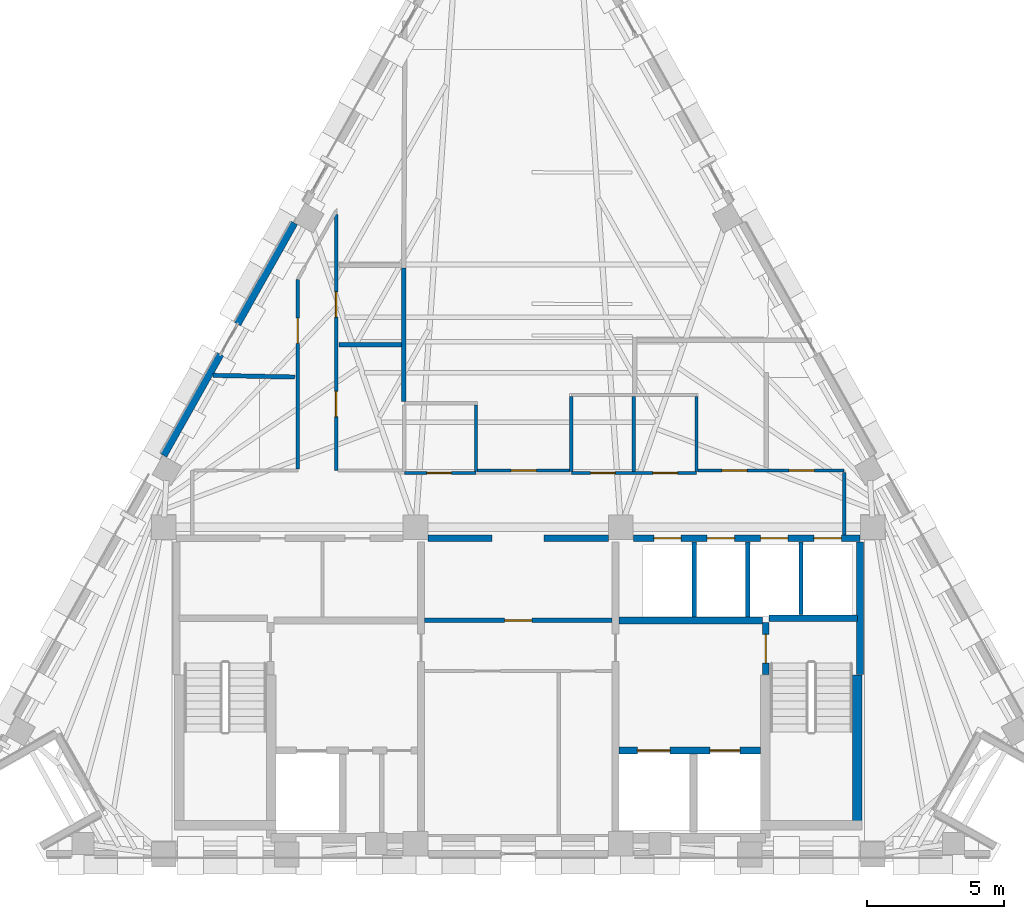
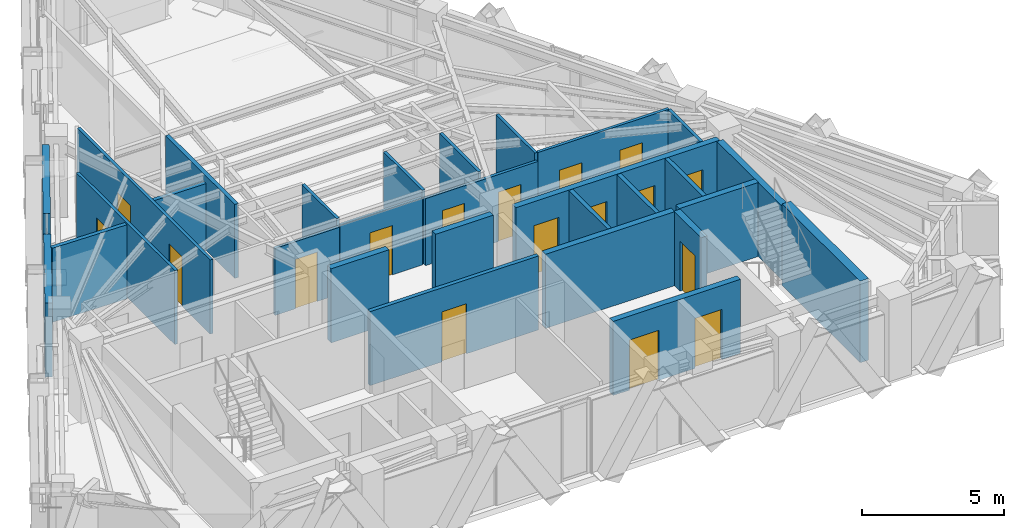
# One storey, part 6 of 9: 29 walls, 17 doors, 17 openings.
"""IFC4 building model written with IfcOpenShell, lengths in metres."""

from ifc_helpers import new_model, si_unit, direction, frame, frame_2d, origin, place, context, subcontext, project, spatial, rectangle, extrude, material, layer, layer_set, type_object, element, fill, save


model = new_model("IFC4")

# Units and contexts
model_context = context("Model", 3, precision=1e-05, world=origin(), true_north=direction((0.0, 1.0)))
body_context = subcontext(model_context, "Body", "Model", "MODEL_VIEW")
ifc_project = project(units=[si_unit("LENGTHUNIT", "METRE"), si_unit("AREAUNIT", "SQUARE_METRE"), si_unit("VOLUMEUNIT", "CUBIC_METRE"), si_unit("PLANEANGLEUNIT", "RADIAN"), si_unit("MASSUNIT", "GRAM", prefix="KILO")], contexts=[model_context])

# Site, building, storey
site_placement = place(None, origin())
site = spatial("IfcSite", under=ifc_project, at=site_placement, CompositionType="ELEMENT")
building_placement = place(site_placement, origin())
building = spatial("IfcBuilding", under=site, at=building_placement, Name="Quenlor Broadcast Tower", CompositionType="ELEMENT")
storey_placement = place(building_placement, frame((0.0, 0.0, 267.39990234375)))
storey = spatial("IfcBuildingStorey", under=building, at=storey_placement, Name="L74", CompositionType="ELEMENT", Elevation=267.39990234375)

# Wall
ifc_material_1 = material(Name="Concrete C50/60", Category="concrete")
ifc_layer_1 = layer(ifc_material_1, 0.35009765625)
ifc_layer_set_1 = layer_set([ifc_layer_1], Name="Core Concrete C50/60 Shear Wall 350")
wall_type_1 = type_object("IfcWallType", Name="Core Concrete C50/60 Shear Wall 350", PredefinedType="SHEAR", material=ifc_layer_set_1)
wall_1_placement = place(storey_placement, frame((12.375, -15.675048828125, 0.0), z_axis=(0.0, 0.0, 1.0), x_axis=(0.0, 1.0, 0.0)))
element("IfcWall", 1, at=wall_1_placement, inside=storey, type_object=wall_type_1, Name="L74 Core Shear Wall WF-E", PredefinedType="SHEAR", context=body_context, shape_type="SweptSolid", body=[
    extrude(rectangle(XDim=5.47509765625, YDim=0.35009765625, at=frame_2d((2.737548828125, 0.0))), origin(), (0.0, 0.0, 1.0), 3.5),
])

# Wall, opening, door
ifc_material_2 = material(Name="Concrete C40/50", Category="concrete")
ifc_layer_2 = layer(ifc_material_2, 0.25)
ifc_layer_set_2 = layer_set([ifc_layer_2], Name="Fire Rated Concrete C40/50 Core Wall 250")
wall_type_2 = type_object("IfcWallType", Name="Fire Rated Concrete C40/50 Core Wall 250", PredefinedType="PARTITIONING", material=ifc_layer_set_2)
wall_2_placement = place(storey_placement, frame((9.0400390625, -10.179931640625, 0.0), z_axis=(0.0, 0.0, 1.0), x_axis=(0.0, 1.0, 0.0)))
wall_2 = element("IfcWall", 2, at=wall_2_placement, inside=storey, type_object=wall_type_2, Name="L74 Interior Wall CW-ST2-DR", PredefinedType="PARTITIONING", context=body_context, shape_type="SweptSolid", body=[
    extrude(rectangle(XDim=1.89990234375, YDim=0.25, at=frame_2d((0.949951171875, 0.0))), origin(), (0.0, 0.0, 1.0), 3.18017578125),
])
opening_1_placement = place(wall_2_placement, frame((0.419921875, 0.0, 0.0)))
opening_1 = element("IfcOpeningElement", 3, at=opening_1_placement, cuts=wall_2, Name="Opening FD-1", PredefinedType="OPENING", context=body_context, shape_type="SweptSolid", body=[
    extrude(rectangle(XDim=1.050048828125, YDim=2.14990234375, at=frame_2d((0.52490234375, 1.074951171875))), frame((0.0, 0.135009765625, 0.0), z_axis=(0.0, -1.0, 0.0), x_axis=(1.0, 0.0, 0.0)), (0.0, 0.0, 1.0), 0.27001953125),
])
ifc_material_3 = material(Name="Fire Rated Steel Door Leaf", Category="steel")
door_type_1 = type_object("IfcDoorType", Name="Fire Isolated Stair Door 1050x2150", OperationType="NOTDEFINED", PredefinedType="DOOR", material=ifc_material_3)
door_1_placement = place(opening_1_placement, origin())
door_1 = element("IfcDoor", 4, at=door_1_placement, inside=storey, type_object=door_type_1, Name="L74 Door DR-ST2", OperationType="SINGLE_SWING_RIGHT", OverallHeight=2.14990234375, OverallWidth=1.050048828125, PredefinedType="DOOR", context=body_context, shape_type="SweptSolid", body=[
    extrude(rectangle(XDim=1.050048828125, YDim=2.14990234375, at=frame_2d((0.52490234375, 1.074951171875))), frame((0.0, 0.02490234375, 0.0), z_axis=(0.0, -1.0, 0.0), x_axis=(1.0, 0.0, 0.0)), (0.0, 0.0, 1.0), 0.050048828125),
])
fill(opening_1, door_1)

# Walls
wall_3_placement = place(storey_placement, frame((9.159912109375, -8.1201171875, 0.0), z_axis=(0.0, 0.0, 1.0), x_axis=(1.0, 0.0, 0.0)))
element("IfcWall", 5, at=wall_3_placement, inside=storey, type_object=wall_type_2, Name="L74 Interior Wall CW-ST2-N", PredefinedType="PARTITIONING", context=body_context, shape_type="SweptSolid", body=[
    extrude(rectangle(XDim=3.219970703125, YDim=0.25, at=frame_2d((1.60986328125, 0.0))), origin(), (0.0, 0.0, 1.0), 3.18017578125),
])
wall_4_placement = place(storey_placement, frame((12.47998046875, -10.179931640625, 0.0), z_axis=(0.0, 0.0, 1.0), x_axis=(0.0, 1.0, 0.0)))
element("IfcWall", 6, at=wall_4_placement, inside=storey, type_object=wall_type_2, Name="L74 Interior Wall CW-ST2-E2", PredefinedType="PARTITIONING", context=body_context, shape_type="SweptSolid", body=[
    extrude(rectangle(XDim=4.83984375, YDim=0.25, at=frame_2d((2.419921875, 0.0))), origin(), (0.0, 0.0, 1.0), 3.18017578125),
])

# Wall, openings, doors
wall_5_placement = place(storey_placement, frame((3.679931640625, -12.949951171875, 0.0), z_axis=(0.0, 0.0, 1.0), x_axis=(1.0, 0.0, 0.0)))
wall_5 = element("IfcWall", 7, at=wall_5_placement, inside=storey, type_object=wall_type_2, Name="L74 Interior Wall CW-FFE-S", PredefinedType="PARTITIONING", context=body_context, shape_type="SweptSolid", body=[
    extrude(rectangle(XDim=5.16796875, YDim=0.25, at=frame_2d((2.583984375, 0.0))), origin(), (0.0, 0.0, 1.0), 3.18017578125),
])
opening_2_placement = place(wall_5_placement, frame((3.320068359375, 0.0, 0.0)))
opening_2 = element("IfcOpeningElement", 8, at=opening_2_placement, cuts=wall_5, Name="Opening LD-FFL-2", PredefinedType="OPENING", context=body_context, shape_type="SweptSolid", body=[
    extrude(rectangle(XDim=1.10009765625, YDim=2.14990234375, at=frame_2d((0.550048828125, 1.074951171875))), frame((0.0, 0.135009765625, 0.0), z_axis=(0.0, -1.0, 0.0), x_axis=(1.0, 0.0, 0.0)), (0.0, 0.0, 1.0), 0.27001953125),
])
opening_3_placement = place(wall_5_placement, frame((0.669921875, 0.0, 0.0)))
opening_3 = element("IfcOpeningElement", 9, at=opening_3_placement, cuts=wall_5, Name="Opening LD-SVL-1", PredefinedType="OPENING", context=body_context, shape_type="SweptSolid", body=[
    extrude(rectangle(XDim=1.199951171875, YDim=2.14990234375, at=frame_2d((0.60009765625, 1.074951171875))), frame((0.0, 0.135009765625, 0.0), z_axis=(0.0, -1.0, 0.0), x_axis=(1.0, 0.0, 0.0)), (0.0, 0.0, 1.0), 0.27001953125),
])
ifc_material_4 = material(Name="Brushed Stainless Steel", Category="steel")
door_type_2 = type_object("IfcDoorType", Name="Emergency Lift Sliding Landing Door 1100x2150", OperationType="NOTDEFINED", PredefinedType="DOOR", material=ifc_material_4)
door_2_placement = place(opening_2_placement, origin())
door_2 = element("IfcDoor", 10, at=door_2_placement, inside=storey, type_object=door_type_2, Name="L74 Door LD-FFL-2", OperationType="SLIDING_TO_RIGHT", OverallHeight=2.14990234375, OverallWidth=1.10009765625, PredefinedType="DOOR", context=body_context, shape_type="SweptSolid", body=[
    extrude(rectangle(XDim=1.10009765625, YDim=2.14990234375, at=frame_2d((0.550048828125, 1.074951171875))), frame((0.0, 0.02490234375, 0.0), z_axis=(0.0, -1.0, 0.0), x_axis=(1.0, 0.0, 0.0)), (0.0, 0.0, 1.0), 0.050048828125),
])
fill(opening_2, door_2)
ifc_material_5 = material(Name="Brushed Stainless Steel", Category="steel")
door_type_3 = type_object("IfcDoorType", Name="Goods Lift Sliding Landing Door 1200x2150", OperationType="NOTDEFINED", PredefinedType="DOOR", material=ifc_material_5)
door_3_placement = place(opening_3_placement, origin())
door_3 = element("IfcDoor", 11, at=door_3_placement, inside=storey, type_object=door_type_3, Name="L74 Door LD-SVL-1", OperationType="SLIDING_TO_LEFT", OverallHeight=2.14990234375, OverallWidth=1.199951171875, PredefinedType="DOOR", context=body_context, shape_type="SweptSolid", body=[
    extrude(rectangle(XDim=1.199951171875, YDim=2.14990234375, at=frame_2d((0.60009765625, 1.074951171875))), frame((0.0, 0.02490234375, 0.0), z_axis=(0.0, -1.0, 0.0), x_axis=(1.0, 0.0, 0.0)), (0.0, 0.0, 1.0), 0.050048828125),
])
fill(opening_3, door_3)

# Wall
wall_6_placement = place(storey_placement, frame((3.679931640625, -8.199951171875, 0.0), z_axis=(0.0, 0.0, 1.0), x_axis=(1.0, 0.0, 0.0)))
element("IfcWall", 12, at=wall_6_placement, inside=storey, type_object=wall_type_2, Name="L74 Interior Wall CW-FFE-N", PredefinedType="PARTITIONING", context=body_context, shape_type="SweptSolid", body=[
    extrude(rectangle(XDim=5.239990234375, YDim=0.25, at=frame_2d((2.6201171875, 0.0))), origin(), (0.0, 0.0, 1.0), 3.18017578125),
])

# Wall, openings, doors
wall_7_placement = place(storey_placement, frame((4.201904296875, -5.199951171875, 0.0), z_axis=(0.0, 0.0, 1.0), x_axis=(1.0, 0.0, 0.0)))
wall_7 = element("IfcWall", 13, at=wall_7_placement, inside=storey, type_object=wall_type_2, Name="L74 Interior Wall CW-N-E", PredefinedType="PARTITIONING", context=body_context, shape_type="SweptSolid", body=[
    extrude(rectangle(XDim=8.278076171875, YDim=0.25, at=frame_2d((4.13916015625, 0.0))), origin(), (0.0, 0.0, 1.0), 3.18017578125),
])
opening_4_placement = place(wall_7_placement, frame((0.748046875, 0.0, 0.0)))
opening_4 = element("IfcOpeningElement", 14, at=opening_4_placement, cuts=wall_7, Name="Opening LD-PL-H1", PredefinedType="OPENING", context=body_context, shape_type="SweptSolid", body=[
    extrude(rectangle(XDim=1.0, YDim=2.14990234375, at=frame_2d((0.5, 1.074951171875))), frame((0.0, 0.135009765625, 0.0), z_axis=(0.0, -1.0, 0.0), x_axis=(1.0, 0.0, 0.0)), (0.0, 0.0, 1.0), 0.27001953125),
])
opening_5_placement = place(wall_7_placement, frame((2.697998046875, 0.0, 0.0)))
opening_5 = element("IfcOpeningElement", 15, at=opening_5_placement, cuts=wall_7, Name="Opening LD-PL-H2", PredefinedType="OPENING", context=body_context, shape_type="SweptSolid", body=[
    extrude(rectangle(XDim=1.0, YDim=2.14990234375, at=frame_2d((0.5, 1.074951171875))), frame((0.0, 0.135009765625, 0.0), z_axis=(0.0, -1.0, 0.0), x_axis=(1.0, 0.0, 0.0)), (0.0, 0.0, 1.0), 0.27001953125),
])
opening_6_placement = place(wall_7_placement, frame((4.64794921875, 0.0, 0.0)))
opening_6 = element("IfcOpeningElement", 16, at=opening_6_placement, cuts=wall_7, Name="Opening LD-PL-H3", PredefinedType="OPENING", context=body_context, shape_type="SweptSolid", body=[
    extrude(rectangle(XDim=1.0, YDim=2.14990234375, at=frame_2d((0.5, 1.074951171875))), frame((0.0, 0.135009765625, 0.0), z_axis=(0.0, -1.0, 0.0), x_axis=(1.0, 0.0, 0.0)), (0.0, 0.0, 1.0), 0.27001953125),
])
opening_7_placement = place(wall_7_placement, frame((6.597900390625, 0.0, 0.0)))
opening_7 = element("IfcOpeningElement", 17, at=opening_7_placement, cuts=wall_7, Name="Opening LD-PL-H4", PredefinedType="OPENING", context=body_context, shape_type="SweptSolid", body=[
    extrude(rectangle(XDim=1.0, YDim=2.14990234375, at=frame_2d((0.5, 1.074951171875))), frame((0.0, 0.135009765625, 0.0), z_axis=(0.0, -1.0, 0.0), x_axis=(1.0, 0.0, 0.0)), (0.0, 0.0, 1.0), 0.27001953125),
])
ifc_material_6 = material(Name="Brushed Stainless Steel", Category="steel")
door_type_4 = type_object("IfcDoorType", Name="Passenger Lift Sliding Landing Door 1000x2150", OperationType="NOTDEFINED", PredefinedType="DOOR", material=ifc_material_6)
door_4_placement = place(opening_4_placement, origin())
door_4 = element("IfcDoor", 18, at=door_4_placement, inside=storey, type_object=door_type_4, Name="L74 Door LD-PL-H1", OperationType="SLIDING_TO_RIGHT", OverallHeight=2.14990234375, OverallWidth=1.0, PredefinedType="DOOR", context=body_context, shape_type="SweptSolid", body=[
    extrude(rectangle(XDim=1.0, YDim=2.14990234375, at=frame_2d((0.5, 1.074951171875))), frame((0.0, 0.02490234375, 0.0), z_axis=(0.0, -1.0, 0.0), x_axis=(1.0, 0.0, 0.0)), (0.0, 0.0, 1.0), 0.050048828125),
])
fill(opening_4, door_4)
door_5_placement = place(opening_5_placement, origin())
door_5 = element("IfcDoor", 19, at=door_5_placement, inside=storey, type_object=door_type_4, Name="L74 Door LD-PL-H2", OperationType="SLIDING_TO_RIGHT", OverallHeight=2.14990234375, OverallWidth=1.0, PredefinedType="DOOR", context=body_context, shape_type="SweptSolid", body=[
    extrude(rectangle(XDim=1.0, YDim=2.14990234375, at=frame_2d((0.5, 1.074951171875))), frame((0.0, 0.02490234375, 0.0), z_axis=(0.0, -1.0, 0.0), x_axis=(1.0, 0.0, 0.0)), (0.0, 0.0, 1.0), 0.050048828125),
])
fill(opening_5, door_5)
door_6_placement = place(opening_6_placement, origin())
door_6 = element("IfcDoor", 20, at=door_6_placement, inside=storey, type_object=door_type_4, Name="L74 Door LD-PL-H3", OperationType="SLIDING_TO_RIGHT", OverallHeight=2.14990234375, OverallWidth=1.0, PredefinedType="DOOR", context=body_context, shape_type="SweptSolid", body=[
    extrude(rectangle(XDim=1.0, YDim=2.14990234375, at=frame_2d((0.5, 1.074951171875))), frame((0.0, 0.02490234375, 0.0), z_axis=(0.0, -1.0, 0.0), x_axis=(1.0, 0.0, 0.0)), (0.0, 0.0, 1.0), 0.050048828125),
])
fill(opening_6, door_6)
door_7_placement = place(opening_7_placement, origin())
door_7 = element("IfcDoor", 21, at=door_7_placement, inside=storey, type_object=door_type_4, Name="L74 Door LD-PL-H4", OperationType="SLIDING_TO_RIGHT", OverallHeight=2.14990234375, OverallWidth=1.0, PredefinedType="DOOR", context=body_context, shape_type="SweptSolid", body=[
    extrude(rectangle(XDim=1.0, YDim=2.14990234375, at=frame_2d((0.5, 1.074951171875))), frame((0.0, 0.02490234375, 0.0), z_axis=(0.0, -1.0, 0.0), x_axis=(1.0, 0.0, 0.0)), (0.0, 0.0, 1.0), 0.050048828125),
])
fill(opening_7, door_7)

# Walls
for number, where, z_axis, x_axis, name in (
    (22, (-3.298095703125, -5.199951171875, 0.0), (0.0, 0.0, 1.0), (1.0, 0.0, 0.0), "L74 Interior Wall CW-N-M1"),
    (23, (0.949951171875, -5.199951171875, 0.0), (0.0, 0.0, 1.0), (1.0, 0.0, 0.0), "L74 Interior Wall CW-N-M2"),
):
    element("IfcWall", number, at=place(storey_placement, frame(where, z_axis=z_axis, x_axis=x_axis)), inside=storey, type_object=wall_type_2, Name=name, PredefinedType="PARTITIONING", context=body_context, shape_type="SweptSolid", body=[
        extrude(rectangle(XDim=2.34814453125, YDim=0.25, at=frame_2d((1.174072265625, 0.0))), origin(), (0.0, 0.0, 1.0), 3.18017578125),
    ])
ifc_material_7 = material(Name="Gypsum Fireboard Partition", Category="other")
ifc_layer_3 = layer(ifc_material_7, 0.159912109375)
ifc_layer_set_3 = layer_set([ifc_layer_3], Name="Fire Rated Shaft and Corridor Partition 160")
wall_type_3 = type_object("IfcWallType", Name="Fire Rated Shaft and Corridor Partition 160", PredefinedType="PARTITIONING", material=ifc_layer_set_3)
for number, where, z_axis, x_axis, name in (
    (24, (6.425048828125, -8.072998046875, 0.0), (0.0, 0.0, 1.0), (0.0, 1.0, 0.0), "L74 Interior Wall CW-PLH-D1"),
    (25, (8.375, -8.072998046875, 0.0), (0.0, 0.0, 1.0), (0.0, 1.0, 0.0), "L74 Interior Wall CW-PLH-D2"),
):
    element("IfcWall", number, at=place(storey_placement, frame(where, z_axis=z_axis, x_axis=x_axis)), inside=storey, type_object=wall_type_3, Name=name, PredefinedType="PARTITIONING", context=body_context, shape_type="SweptSolid", body=[
        extrude(rectangle(XDim=2.73291015625, YDim=0.159912109375, at=frame_2d((1.366455078125, 0.0))), origin(), (0.0, 0.0, 1.0), 3.18017578125),
    ])
wall_8_placement = place(storey_placement, frame((10.324951171875, -7.992919921875, 0.0), z_axis=(0.0, 0.0, 1.0), x_axis=(0.0, 1.0, 0.0)))
element("IfcWall", 26, at=wall_8_placement, inside=storey, type_object=wall_type_3, Name="L74 Interior Wall CW-PLH-D3", PredefinedType="PARTITIONING", context=body_context, shape_type="SweptSolid", body=[
    extrude(rectangle(XDim=2.65283203125, YDim=0.159912109375, at=frame_2d((1.326416015625, 0.0))), origin(), (0.0, 0.0, 1.0), 3.18017578125),
])

# Wall, opening, door
wall_9_placement = place(storey_placement, frame((-3.419921875, -8.199951171875, 0.0), z_axis=(0.0, 0.0, 1.0), x_axis=(1.0, 0.0, 0.0)))
wall_9 = element("IfcWall", 27, at=wall_9_placement, inside=storey, type_object=wall_type_3, Name="L74 Interior Wall CW-M-BACK", PredefinedType="PARTITIONING", context=body_context, shape_type="SweptSolid", body=[
    extrude(rectangle(XDim=6.83984375, YDim=0.159912109375, at=frame_2d((3.419921875, 0.0))), origin(), (0.0, 0.0, 1.0), 3.18017578125),
])
opening_8_placement = place(wall_9_placement, frame((2.919921875, 0.0, 0.0)))
opening_8 = element("IfcOpeningElement", 28, at=opening_8_placement, cuts=wall_9, Name="Opening FD-2", PredefinedType="OPENING", context=body_context, shape_type="SweptSolid", body=[
    extrude(rectangle(XDim=1.0, YDim=2.14990234375, at=frame_2d((0.5, 1.074951171875))), frame((0.0, 0.08984375, 0.0), z_axis=(0.0, -1.0, 0.0), x_axis=(1.0, 0.0, 0.0)), (0.0, 0.0, 1.0), 0.179931640625),
])
ifc_material_8 = material(Name="Fire Rated Glazed Steel Door", Category="steel")
door_type_5 = type_object("IfcDoorType", Name="Firefighting Lobby Smoke Door 1000x2150", OperationType="NOTDEFINED", PredefinedType="DOOR", material=ifc_material_8)
door_8_placement = place(opening_8_placement, origin())
door_8 = element("IfcDoor", 29, at=door_8_placement, inside=storey, type_object=door_type_5, Name="L74 Door DR-CCRP", OperationType="SINGLE_SWING_LEFT", OverallHeight=2.14990234375, OverallWidth=1.0, PredefinedType="DOOR", context=body_context, shape_type="SweptSolid", body=[
    extrude(rectangle(XDim=1.0, YDim=2.14990234375, at=frame_2d((0.5, 1.074951171875))), frame((0.0, 0.02490234375, 0.0), z_axis=(0.0, -1.0, 0.0), x_axis=(1.0, 0.0, 0.0)), (0.0, 0.0, 1.0), 0.050048828125),
])
fill(opening_8, door_8)

# Walls
wall_10_placement = place(storey_placement, frame((-4.179931640625, -0.2099609375, 0.0), z_axis=(0.0, 0.0, 1.0), x_axis=(0.0, 1.0, 0.0)))
element("IfcWall", 30, at=wall_10_placement, inside=storey, type_object=wall_type_3, Name="L74 Interior Wall PW-DV-03", PredefinedType="PARTITIONING", context=body_context, shape_type="SweptSolid", body=[
    extrude(rectangle(XDim=4.8701171875, YDim=0.159912109375, at=frame_2d((2.43505859375, 0.0))), origin(), (0.0, 0.0, 1.0), 3.18017578125),
])
wall_11_placement = place(storey_placement, frame((-4.261962890625, 1.86572265625, 0.0), z_axis=(0.0, 0.0, 1.0), x_axis=(-1.0, 0.0, 0.0)))
element("IfcWall", 31, at=wall_11_placement, inside=storey, type_object=wall_type_3, Name="L74 Interior Wall PW-DV-07", PredefinedType="PARTITIONING", context=body_context, shape_type="SweptSolid", body=[
    extrude(rectangle(XDim=2.278076171875, YDim=0.159912109375, at=frame_2d((1.13916015625, 0.0))), origin(), (0.0, 0.0, 1.0), 2.872802734375),
])
wall_12_placement = place(storey_placement, frame((-8.159912109375, 0.685546875, 0.0), z_axis=(0.0, 0.0, 1.0), x_axis=(-0.999790115951, 0.020487167859, 0.0)))
element("IfcWall", 32, at=wall_12_placement, inside=storey, type_object=wall_type_3, Name="L74 Interior Wall PW-DV-08", PredefinedType="PARTITIONING", context=body_context, shape_type="SweptSolid", body=[
    extrude(rectangle(XDim=2.9912109375, YDim=0.159912109375, at=frame_2d((1.49560546875, 0.0))), origin(), (0.0, 0.0, 1.0), 3.18017578125),
])

# Wall, opening, door
ifc_material_9 = material(Name="Gypsum Plasterboard Partition", Category="other")
ifc_layer_4 = layer(ifc_material_9, 0.1201171875)
ifc_layer_set_4 = layer_set([ifc_layer_4], Name="Standard Office Partition 120")
wall_type_4 = type_object("IfcWallType", Name="Standard Office Partition 120", PredefinedType="PARTITIONING", material=ifc_layer_set_4)
wall_13_placement = place(storey_placement, frame((-4.159912109375, -2.820068359375, 0.0), z_axis=(0.0, 0.0, 1.0), x_axis=(1.0, 0.0, 0.0)))
wall_13 = element("IfcWall", 33, at=wall_13_placement, inside=storey, type_object=wall_type_4, Name="L74 Interior Wall PW-AWC-S", PredefinedType="PARTITIONING", context=body_context, shape_type="SweptSolid", body=[
    extrude(rectangle(XDim=2.619873046875, YDim=0.1201171875, at=frame_2d((1.31005859375, 0.0))), origin(), (0.0, 0.0, 1.0), 2.872802734375),
])
opening_9_placement = place(wall_13_placement, frame((0.820068359375, 0.0, 0.0)))
opening_9 = element("IfcOpeningElement", 34, at=opening_9_placement, cuts=wall_13, Name="Opening ID-3", PredefinedType="OPENING", context=body_context, shape_type="SweptSolid", body=[
    extrude(rectangle(XDim=0.89990234375, YDim=2.1201171875, at=frame_2d((0.449951171875, 1.06005859375))), frame((0.0, 0.070068359375, 0.0), z_axis=(0.0, -1.0, 0.0), x_axis=(1.0, 0.0, 0.0)), (0.0, 0.0, 1.0), 0.14013671875),
])
ifc_material_10 = material(Name="Moisture Resistant Timber Oak", Category="wood")
door_type_6 = type_object("IfcDoorType", Name="Washroom Privacy Door 900x2120", OperationType="NOTDEFINED", PredefinedType="DOOR", material=ifc_material_10)
door_9_placement = place(opening_9_placement, origin())
door_9 = element("IfcDoor", 35, at=door_9_placement, inside=storey, type_object=door_type_6, Name="L74 Door DR-AWC", OperationType="SINGLE_SWING_LEFT", OverallHeight=2.1201171875, OverallWidth=0.89990234375, PredefinedType="DOOR", context=body_context, shape_type="SweptSolid", body=[
    extrude(rectangle(XDim=0.89990234375, YDim=2.1201171875, at=frame_2d((0.449951171875, 1.06005859375))), frame((0.0, 0.02490234375, 0.0), z_axis=(0.0, -1.0, 0.0), x_axis=(1.0, 0.0, 0.0)), (0.0, 0.0, 1.0), 0.050048828125),
])
fill(opening_9, door_9)

# Wall
wall_14_placement = place(storey_placement, frame((-1.5400390625, -2.758056640625, 0.0), z_axis=(0.0, 0.0, 1.0), x_axis=(0.0, 1.0, 0.0)))
element("IfcWall", 36, at=wall_14_placement, inside=storey, type_object=wall_type_4, Name="L74 Interior Wall PW-AWC-E", PredefinedType="PARTITIONING", context=body_context, shape_type="SweptSolid", body=[
    extrude(rectangle(XDim=2.426025390625, YDim=0.1201171875, at=frame_2d((1.212890625, 0.0))), origin(), (0.0, 0.0, 1.0), 3.18017578125),
])

# Wall, openings, doors
wall_15_placement = place(storey_placement, frame((1.93994140625, -2.820068359375, 0.0), z_axis=(0.0, 0.0, 1.0), x_axis=(1.0, 0.0, 0.0)))
wall_15 = element("IfcWall", 37, at=wall_15_placement, inside=storey, type_object=wall_type_4, Name="L74 Interior Wall PW-WC-S", PredefinedType="PARTITIONING", context=body_context, shape_type="SweptSolid", body=[
    extrude(rectangle(XDim=4.570068359375, YDim=0.1201171875, at=frame_2d((2.28515625, 0.0))), origin(), (0.0, 0.0, 1.0), 2.872802734375),
])
opening_10_placement = place(wall_15_placement, frame((0.699951171875, 0.0, 0.0)))
opening_10 = element("IfcOpeningElement", 38, at=opening_10_placement, cuts=wall_15, Name="Opening ID-3", PredefinedType="OPENING", context=body_context, shape_type="SweptSolid", body=[
    extrude(rectangle(XDim=0.89990234375, YDim=2.1201171875, at=frame_2d((0.449951171875, 1.06005859375))), frame((0.0, 0.070068359375, 0.0), z_axis=(0.0, -1.0, 0.0), x_axis=(1.0, 0.0, 0.0)), (0.0, 0.0, 1.0), 0.14013671875),
])
opening_11_placement = place(wall_15_placement, frame((2.97998046875, 0.0, 0.0)))
opening_11 = element("IfcOpeningElement", 39, at=opening_11_placement, cuts=wall_15, Name="Opening ID-3", PredefinedType="OPENING", context=body_context, shape_type="SweptSolid", body=[
    extrude(rectangle(XDim=0.89990234375, YDim=2.1201171875, at=frame_2d((0.449951171875, 1.06005859375))), frame((0.0, 0.070068359375, 0.0), z_axis=(0.0, -1.0, 0.0), x_axis=(1.0, 0.0, 0.0)), (0.0, 0.0, 1.0), 0.14013671875),
])
door_10_placement = place(opening_10_placement, origin())
door_10 = element("IfcDoor", 40, at=door_10_placement, inside=storey, type_object=door_type_6, Name="L74 Door DR-MWC", OperationType="SINGLE_SWING_LEFT", OverallHeight=2.1201171875, OverallWidth=0.89990234375, PredefinedType="DOOR", context=body_context, shape_type="SweptSolid", body=[
    extrude(rectangle(XDim=0.89990234375, YDim=2.1201171875, at=frame_2d((0.449951171875, 1.06005859375))), frame((0.0, 0.02490234375, 0.0), z_axis=(0.0, -1.0, 0.0), x_axis=(1.0, 0.0, 0.0)), (0.0, 0.0, 1.0), 0.050048828125),
])
fill(opening_10, door_10)
door_11_placement = place(opening_11_placement, origin())
door_11 = element("IfcDoor", 41, at=door_11_placement, inside=storey, type_object=door_type_6, Name="L74 Door DR-FWC", OperationType="SINGLE_SWING_RIGHT", OverallHeight=2.1201171875, OverallWidth=0.89990234375, PredefinedType="DOOR", context=body_context, shape_type="SweptSolid", body=[
    extrude(rectangle(XDim=0.89990234375, YDim=2.1201171875, at=frame_2d((0.449951171875, 1.06005859375))), frame((0.0, 0.02490234375, 0.0), z_axis=(0.0, -1.0, 0.0), x_axis=(1.0, 0.0, 0.0)), (0.0, 0.0, 1.0), 0.050048828125),
])
fill(opening_11, door_11)

# Walls
for number, where, z_axis, x_axis, name in (
    (42, (1.93994140625, -2.758056640625, 0.0), (0.0, 0.0, 1.0), (0.0, 1.0, 0.0), "L74 Interior Wall PW-WC-W"),
    (43, (4.219970703125, -2.758056640625, 0.0), (0.0, 0.0, 1.0), (0.0, 1.0, 0.0), "L74 Interior Wall PW-WC-M"),
    (44, (6.510009765625, -2.758056640625, 0.0), (0.0, 0.0, 1.0), (0.0, 1.0, 0.0), "L74 Interior Wall PW-WC-E"),
):
    element("IfcWall", number, at=place(storey_placement, frame(where, z_axis=z_axis, x_axis=x_axis)), inside=storey, type_object=wall_type_4, Name=name, PredefinedType="PARTITIONING", context=body_context, shape_type="SweptSolid", body=[
        extrude(rectangle(XDim=2.72607421875, YDim=0.1201171875, at=frame_2d((1.363037109375, 0.0))), origin(), (0.0, 0.0, 1.0), 3.18017578125),
    ])

# Wall, opening, door
wall_16_placement = place(storey_placement, frame((-8.050048828125, -2.66796875, 0.0), z_axis=(0.0, 0.0, 1.0), x_axis=(0.0, 1.0, 0.0)))
wall_16 = element("IfcWall", 45, at=wall_16_placement, inside=storey, type_object=wall_type_4, Name="L74 Interior Wall PW-CR-03", PredefinedType="PARTITIONING", context=body_context, shape_type="SweptSolid", body=[
    extrude(rectangle(XDim=6.921630859375, YDim=0.1201171875, at=frame_2d((3.4609375, 0.0))), origin(), (0.0, 0.0, 1.0), 3.18017578125),
])
opening_12_placement = place(wall_16_placement, frame((4.5810546875, 0.0, 0.0)))
opening_12 = element("IfcOpeningElement", 46, at=opening_12_placement, cuts=wall_16, Name="Opening ID-1", PredefinedType="OPENING", context=body_context, shape_type="SweptSolid", body=[
    extrude(rectangle(XDim=0.919921875, YDim=2.1201171875, at=frame_2d((0.4599609375, 1.06005859375))), frame((0.0, 0.070068359375, 0.0), z_axis=(0.0, -1.0, 0.0), x_axis=(1.0, 0.0, 0.0)), (0.0, 0.0, 1.0), 0.14013671875),
])
ifc_material_11 = material(Name="Solid Core Timber Oak", Category="wood")
door_type_7 = type_object("IfcDoorType", Name="Single Leaf Timber Office Door 920x2120", OperationType="NOTDEFINED", PredefinedType="DOOR", material=ifc_material_11)
door_12_placement = place(opening_12_placement, origin())
door_12 = element("IfcDoor", 47, at=door_12_placement, inside=storey, type_object=door_type_7, Name="L74 Door DR-RM04", OperationType="SINGLE_SWING_RIGHT", OverallHeight=2.1201171875, OverallWidth=0.919921875, PredefinedType="DOOR", context=body_context, shape_type="SweptSolid", body=[
    extrude(rectangle(XDim=0.919921875, YDim=2.1201171875, at=frame_2d((0.4599609375, 1.06005859375))), frame((0.0, 0.02490234375, 0.0), z_axis=(0.0, -1.0, 0.0), x_axis=(1.0, 0.0, 0.0)), (0.0, 0.0, 1.0), 0.050048828125),
])
fill(opening_12, door_12)

# Wall, openings, doors
wall_17_placement = place(storey_placement, frame((-6.64990234375, 6.6162109375, 0.0), z_axis=(0.0, 0.0, 1.0), x_axis=(0.0, -1.0, 0.0)))
wall_17 = element("IfcWall", 48, at=wall_17_placement, inside=storey, type_object=wall_type_4, Name="L74 Interior Wall PW-CR-05", PredefinedType="PARTITIONING", context=body_context, shape_type="SweptSolid", body=[
    extrude(rectangle(XDim=9.34619140625, YDim=0.1201171875, at=frame_2d((4.673095703125, 0.0))), origin(), (0.0, 0.0, 1.0), 3.18017578125),
])
opening_13_placement = place(wall_17_placement, frame((2.822021484375, 0.0, 0.0)))
opening_13 = element("IfcOpeningElement", 49, at=opening_13_placement, cuts=wall_17, Name="Opening ID-1", PredefinedType="OPENING", context=body_context, shape_type="SweptSolid", body=[
    extrude(rectangle(XDim=0.919921875, YDim=2.1201171875, at=frame_2d((0.4599609375, 1.06005859375))), frame((0.0, 0.070068359375, 0.0), z_axis=(0.0, -1.0, 0.0), x_axis=(1.0, 0.0, 0.0)), (0.0, 0.0, 1.0), 0.14013671875),
])
opening_14_placement = place(wall_17_placement, frame((6.4580078125, 0.0, 0.0)))
opening_14 = element("IfcOpeningElement", 50, at=opening_14_placement, cuts=wall_17, Name="Opening ID-1", PredefinedType="OPENING", context=body_context, shape_type="SweptSolid", body=[
    extrude(rectangle(XDim=0.919921875, YDim=2.1201171875, at=frame_2d((0.4599609375, 1.06005859375))), frame((0.0, 0.070068359375, 0.0), z_axis=(0.0, -1.0, 0.0), x_axis=(1.0, 0.0, 0.0)), (0.0, 0.0, 1.0), 0.14013671875),
])
door_13_placement = place(opening_13_placement, origin())
door_13 = element("IfcDoor", 51, at=door_13_placement, inside=storey, type_object=door_type_7, Name="L74 Door DR-RM03", OperationType="SINGLE_SWING_LEFT", OverallHeight=2.1201171875, OverallWidth=0.919921875, PredefinedType="DOOR", context=body_context, shape_type="SweptSolid", body=[
    extrude(rectangle(XDim=0.919921875, YDim=2.1201171875, at=frame_2d((0.4599609375, 1.06005859375))), frame((0.0, 0.02490234375, 0.0), z_axis=(0.0, -1.0, 0.0), x_axis=(1.0, 0.0, 0.0)), (0.0, 0.0, 1.0), 0.050048828125),
])
fill(opening_13, door_13)
door_14_placement = place(opening_14_placement, origin())
door_14 = element("IfcDoor", 52, at=door_14_placement, inside=storey, type_object=door_type_7, Name="L74 Door DR-RM06", OperationType="SINGLE_SWING_RIGHT", OverallHeight=2.1201171875, OverallWidth=0.919921875, PredefinedType="DOOR", context=body_context, shape_type="SweptSolid", body=[
    extrude(rectangle(XDim=0.919921875, YDim=2.1201171875, at=frame_2d((0.4599609375, 1.06005859375))), frame((0.0, 0.02490234375, 0.0), z_axis=(0.0, -1.0, 0.0), x_axis=(1.0, 0.0, 0.0)), (0.0, 0.0, 1.0), 0.050048828125),
])
fill(opening_14, door_14)

# Wall, opening, door
wall_18_placement = place(storey_placement, frame((-1.47802734375, -2.72998046875, 0.0), z_axis=(0.0, 0.0, 1.0), x_axis=(1.0, 0.0, 0.0)))
wall_18 = element("IfcWall", 53, at=wall_18_placement, inside=storey, type_object=wall_type_4, Name="L74 Interior Wall PW-CR-08", PredefinedType="PARTITIONING", context=body_context, shape_type="SweptSolid", body=[
    extrude(rectangle(XDim=3.35595703125, YDim=0.1201171875, at=frame_2d((1.677978515625, 0.0))), origin(), (0.0, 0.0, 1.0), 2.872802734375),
])
opening_15_placement = place(wall_18_placement, frame((1.218017578125, 0.0, 0.0)))
opening_15 = element("IfcOpeningElement", 54, at=opening_15_placement, cuts=wall_18, Name="Opening ID-1", PredefinedType="OPENING", context=body_context, shape_type="SweptSolid", body=[
    extrude(rectangle(XDim=0.919921875, YDim=2.1201171875, at=frame_2d((0.4599609375, 1.06005859375))), frame((0.0, 0.070068359375, 0.0), z_axis=(0.0, -1.0, 0.0), x_axis=(1.0, 0.0, 0.0)), (0.0, 0.0, 1.0), 0.14013671875),
])
door_15_placement = place(opening_15_placement, origin())
door_15 = element("IfcDoor", 55, at=door_15_placement, inside=storey, type_object=door_type_7, Name="L74 Door DR-RM02", OperationType="SINGLE_SWING_RIGHT", OverallHeight=2.1201171875, OverallWidth=0.919921875, PredefinedType="DOOR", context=body_context, shape_type="SweptSolid", body=[
    extrude(rectangle(XDim=0.919921875, YDim=2.1201171875, at=frame_2d((0.4599609375, 1.06005859375))), frame((0.0, 0.02490234375, 0.0), z_axis=(0.0, -1.0, 0.0), x_axis=(1.0, 0.0, 0.0)), (0.0, 0.0, 1.0), 0.050048828125),
])
fill(opening_15, door_15)

# Wall, openings, doors
wall_19_placement = place(storey_placement, frame((6.572021484375, -2.72998046875, 0.0), z_axis=(0.0, 0.0, 1.0), x_axis=(1.0, 0.0, 0.0)))
wall_19 = element("IfcWall", 56, at=wall_19_placement, inside=storey, type_object=wall_type_4, Name="L74 Interior Wall PW-CR-10", PredefinedType="PARTITIONING", context=body_context, shape_type="SweptSolid", body=[
    extrude(rectangle(XDim=5.327880859375, YDim=0.1201171875, at=frame_2d((2.6640625, 0.0))), origin(), (0.0, 0.0, 1.0), 3.18017578125),
])
opening_16_placement = place(wall_19_placement, frame((0.866943359375, 0.0, 0.0)))
opening_16 = element("IfcOpeningElement", 57, at=opening_16_placement, cuts=wall_19, Name="Opening ID-1", PredefinedType="OPENING", context=body_context, shape_type="SweptSolid", body=[
    extrude(rectangle(XDim=0.919921875, YDim=2.1201171875, at=frame_2d((0.4599609375, 1.06005859375))), frame((0.0, 0.070068359375, 0.0), z_axis=(0.0, -1.0, 0.0), x_axis=(1.0, 0.0, 0.0)), (0.0, 0.0, 1.0), 0.14013671875),
])
opening_17_placement = place(wall_19_placement, frame((3.319091796875, 0.0, 0.0)))
opening_17 = element("IfcOpeningElement", 58, at=opening_17_placement, cuts=wall_19, Name="Opening ID-1", PredefinedType="OPENING", context=body_context, shape_type="SweptSolid", body=[
    extrude(rectangle(XDim=0.919921875, YDim=2.1201171875, at=frame_2d((0.4599609375, 1.06005859375))), frame((0.0, 0.070068359375, 0.0), z_axis=(0.0, -1.0, 0.0), x_axis=(1.0, 0.0, 0.0)), (0.0, 0.0, 1.0), 0.14013671875),
])
door_16_placement = place(opening_16_placement, origin())
door_16 = element("IfcDoor", 59, at=door_16_placement, inside=storey, type_object=door_type_7, Name="L74 Door DR-RM05", OperationType="SINGLE_SWING_LEFT", OverallHeight=2.1201171875, OverallWidth=0.919921875, PredefinedType="DOOR", context=body_context, shape_type="SweptSolid", body=[
    extrude(rectangle(XDim=0.919921875, YDim=2.1201171875, at=frame_2d((0.4599609375, 1.06005859375))), frame((0.0, 0.02490234375, 0.0), z_axis=(0.0, -1.0, 0.0), x_axis=(1.0, 0.0, 0.0)), (0.0, 0.0, 1.0), 0.050048828125),
])
fill(opening_16, door_16)
door_17_placement = place(opening_17_placement, origin())
door_17 = element("IfcDoor", 60, at=door_17_placement, inside=storey, type_object=door_type_7, Name="L74 Door DR-RM08", OperationType="SINGLE_SWING_RIGHT", OverallHeight=2.1201171875, OverallWidth=0.919921875, PredefinedType="DOOR", context=body_context, shape_type="SweptSolid", body=[
    extrude(rectangle(XDim=0.919921875, YDim=2.1201171875, at=frame_2d((0.4599609375, 1.06005859375))), frame((0.0, 0.02490234375, 0.0), z_axis=(0.0, -1.0, 0.0), x_axis=(1.0, 0.0, 0.0)), (0.0, 0.0, 1.0), 0.050048828125),
])
fill(opening_17, door_17)

# Walls
wall_20_placement = place(storey_placement, frame((11.89990234375, -2.7919921875, 0.0), z_axis=(0.0, 0.0, 1.0), x_axis=(0.0, -1.0, 0.0)))
element("IfcWall", 61, at=wall_20_placement, inside=storey, type_object=wall_type_4, Name="L74 Interior Wall PW-CR-11", PredefinedType="PARTITIONING", context=body_context, shape_type="SweptSolid", body=[
    extrude(rectangle(XDim=2.281005859375, YDim=0.1201171875, at=frame_2d((1.140625, 0.0))), origin(), (0.0, 0.0, 1.0), 3.18017578125),
])
ifc_material_12 = material(Name="Precast concrete C40/50", Category="concrete")
ifc_layer_5 = layer(ifc_material_12, 0.260009765625)
ifc_layer_set_5 = layer_set([ifc_layer_5], Name="Terracotta Precast Concrete C40/50 Upper Wall 260")
wall_type_5 = type_object("IfcWallType", Name="Terracotta Precast Concrete C40/50 Upper Wall 260", PredefinedType="STANDARD", material=ifc_layer_set_5)
wall_21_placement = place(storey_placement, frame((-12.9462890625, -2.1767578125, 0.0), z_axis=(0.0, 0.0, 1.0), x_axis=(0.490244825075, 0.871584770109, 0.0)))
element("IfcWall", 62, at=wall_21_placement, inside=storey, type_object=wall_type_5, Name="L74 Exterior Wall L74-NW-SP1", PredefinedType="STANDARD", context=body_context, shape_type="SweptSolid", body=[
    extrude(rectangle(XDim=4.237060546875, YDim=0.260009765625, at=frame_2d((2.11865234375, 0.0))), origin(), (0.0, 0.0, 1.0), 3.18017578125),
])
wall_22_placement = place(storey_placement, frame((-10.25146484375, 2.614501953125, 0.0), z_axis=(0.0, 0.0, 1.0), x_axis=(0.490269447258, 0.871570920284, 0.0)))
element("IfcWall", 63, at=wall_22_placement, inside=storey, type_object=wall_type_5, Name="L74 Exterior Wall L74-NW-SP2", PredefinedType="STANDARD", context=body_context, shape_type="SweptSolid", body=[
    extrude(rectangle(XDim=4.23681640625, YDim=0.260009765625, at=frame_2d((2.118408203125, 0.0))), origin(), (0.0, 0.0, 1.0), 3.18017578125),
])

save(model, "model.ifc")
